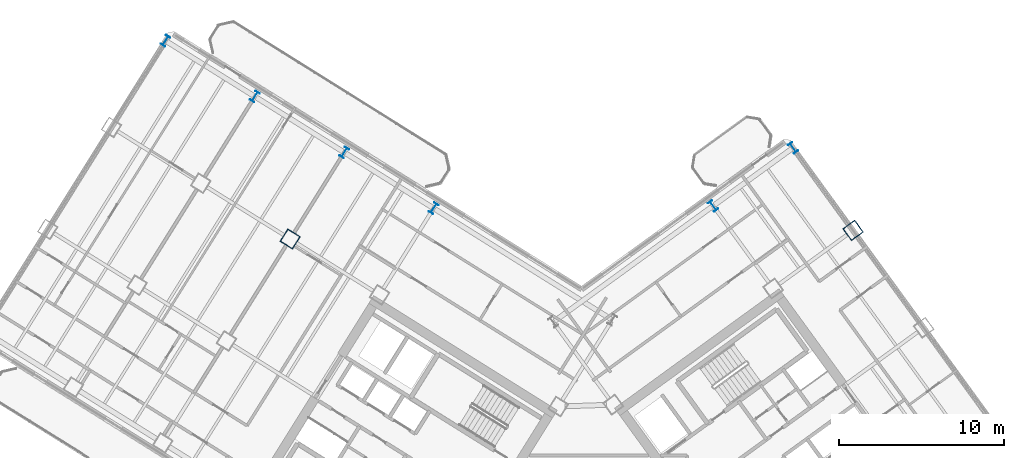
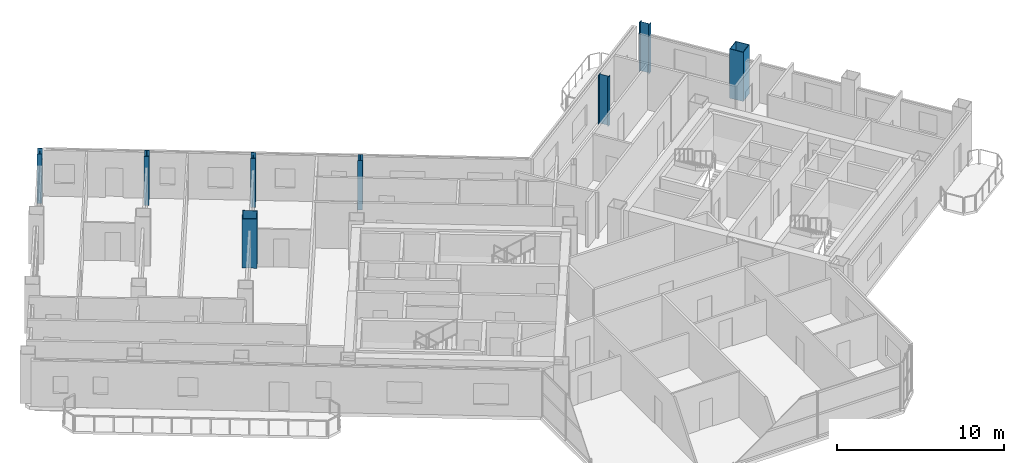
# One storey, part 3 of 21: 8 columns.
"""IFC4 building model written with IfcOpenShell, lengths in metres."""

from ifc_helpers import new_model, si_unit, direction, frame, origin, origin_2d, place, context, subcontext, project, spatial, hollow_rectangle, i_section, extrude, source, transform, mapped, material, material_profile, profile_set, type_object, element, save


model = new_model("IFC4")

# Units and contexts
model_context = context("Model", 3, precision=1e-05, world=origin(), true_north=direction((0.0, 1.0)))
body_context = subcontext(model_context, "Body", "Model", "MODEL_VIEW")
ifc_project = project(units=[si_unit("LENGTHUNIT", "METRE"), si_unit("AREAUNIT", "SQUARE_METRE"), si_unit("VOLUMEUNIT", "CUBIC_METRE"), si_unit("PLANEANGLEUNIT", "RADIAN"), si_unit("MASSUNIT", "GRAM", prefix="KILO")], contexts=[model_context])

# Site, building, storey
site_placement = place(None, origin())
site = spatial("IfcSite", under=ifc_project, at=site_placement, CompositionType="ELEMENT")
building_placement = place(site_placement, origin())
building = spatial("IfcBuilding", under=site, at=building_placement, Name="Tlacorven Tower", CompositionType="ELEMENT")
storey_placement = place(building_placement, frame((0.0, 0.0, 105.300048828125)))
storey = spatial("IfcBuildingStorey", under=building, at=storey_placement, Name="L26", CompositionType="ELEMENT", Elevation=105.300048828125)

# Columns
ifc_material = material(Name="Steel S460M", Category="steel")
ifc_material_profile_1 = material_profile(ifc_material, i_section(OverallWidth=0.300048828125, OverallDepth=0.64990234375, WebThickness=0.01611328125, FlangeThickness=0.031005859375, at=origin_2d()), Name="HEB 650")
ifc_profile_set_1 = profile_set([ifc_material_profile_1], Name="Steel S460M")
column_type_1 = type_object("IfcColumnType", Name="COL-TWR-P1", PredefinedType="COLUMN", material=ifc_profile_set_1)
shared_shape_1 = source(origin(), body_context, "Body", "SweptSolid", [
    extrude(i_section(OverallWidth=0.300048828125, OverallDepth=0.64990234375, WebThickness=0.01611328125, FlangeThickness=0.031005859375, at=origin_2d()), origin(), (0.0, 0.0, 1.0), 3.599853515625),
])
for number, where, z_axis, x_axis, name in (
    (1, (33.21337890625, 36.50927734375, 0.0), (0.0, 0.0, 1.0), (-0.848048096156, 0.529919264233, 0.0), "L26 column COL-L26-W3-1"),
    (2, (27.785888671875, 39.900634765625, 0.0), (0.0, 0.0, 1.0), (-0.848048096156, 0.529919264233, 0.0), "L26 column COL-L26-W4-1"),
    (3, (22.3583984375, 43.292236328125, 0.0), (0.0, 0.0, 1.0), (-0.848048096156, 0.529919264233, 0.0), "L26 column COL-L26-W5-1"),
    (4, (16.930908203125, 46.68359375, 0.0), (0.0, 0.0, 1.0), (-0.848048096156, 0.529919264233, 0.0), "L26 column COL-L26-W6-1"),
    (5, (50.187744140625, 36.654296875, 0.0), (0.0, 0.0, 1.0), (0.809016994375, 0.587785252292, 0.0), "L26 column COL-L26-E3-4"),
    (6, (55.041748046875, 40.18115234375, 0.0), (0.0, 0.0, 1.0), (0.809016994375, 0.587785252292, 0.0), "L26 column COL-L26-E4-4"),
):
    element("IfcColumn", number, at=place(storey_placement, frame(where, z_axis=z_axis, x_axis=x_axis)), inside=storey, type_object=column_type_1, Name=name, PredefinedType="COLUMN", context=body_context, shape_type="MappedRepresentation", body=[
        mapped(shared_shape_1, transform((0.0, 0.0, 0.0), scale=1.0)),
    ])
ifc_material_profile_2 = material_profile(ifc_material, hollow_rectangle(XDim=0.89990234375, YDim=0.89990234375, WallThickness=0.035888671875, at=origin_2d()), Name="BOX 900X900X36")
ifc_profile_set_2 = profile_set([ifc_material_profile_2], Name="Steel S460M")
column_type_2 = type_object("IfcColumnType", Name="COL-TWR-S2", PredefinedType="COLUMN", material=ifc_profile_set_2)
shared_shape_2 = source(origin(), body_context, "Body", "SweptSolid", [
    extrude(hollow_rectangle(XDim=0.89990234375, YDim=0.89990234375, WallThickness=0.035888671875, at=origin_2d()), origin(), (0.0, 0.0, 1.0), 3.599853515625),
])
for number, where, z_axis, x_axis, name in (
    (7, (24.50048828125, 34.642822265625, 0.0), (0.0, 0.0, 1.0), (-0.848048096156, 0.529919264233, 0.0), "L26 column COL-L26-W4-2"),
    (8, (58.68603515625, 35.165283203125, 0.0), (0.0, 0.0, 1.0), (0.809016994375, 0.587785252292, 0.0), "L26 column COL-L26-E4-3"),
):
    element("IfcColumn", number, at=place(storey_placement, frame(where, z_axis=z_axis, x_axis=x_axis)), inside=storey, type_object=column_type_2, Name=name, PredefinedType="COLUMN", context=body_context, shape_type="MappedRepresentation", body=[
        mapped(shared_shape_2, transform((0.0, 0.0, 0.0), scale=1.0)),
    ])

save(model, "model.ifc")
